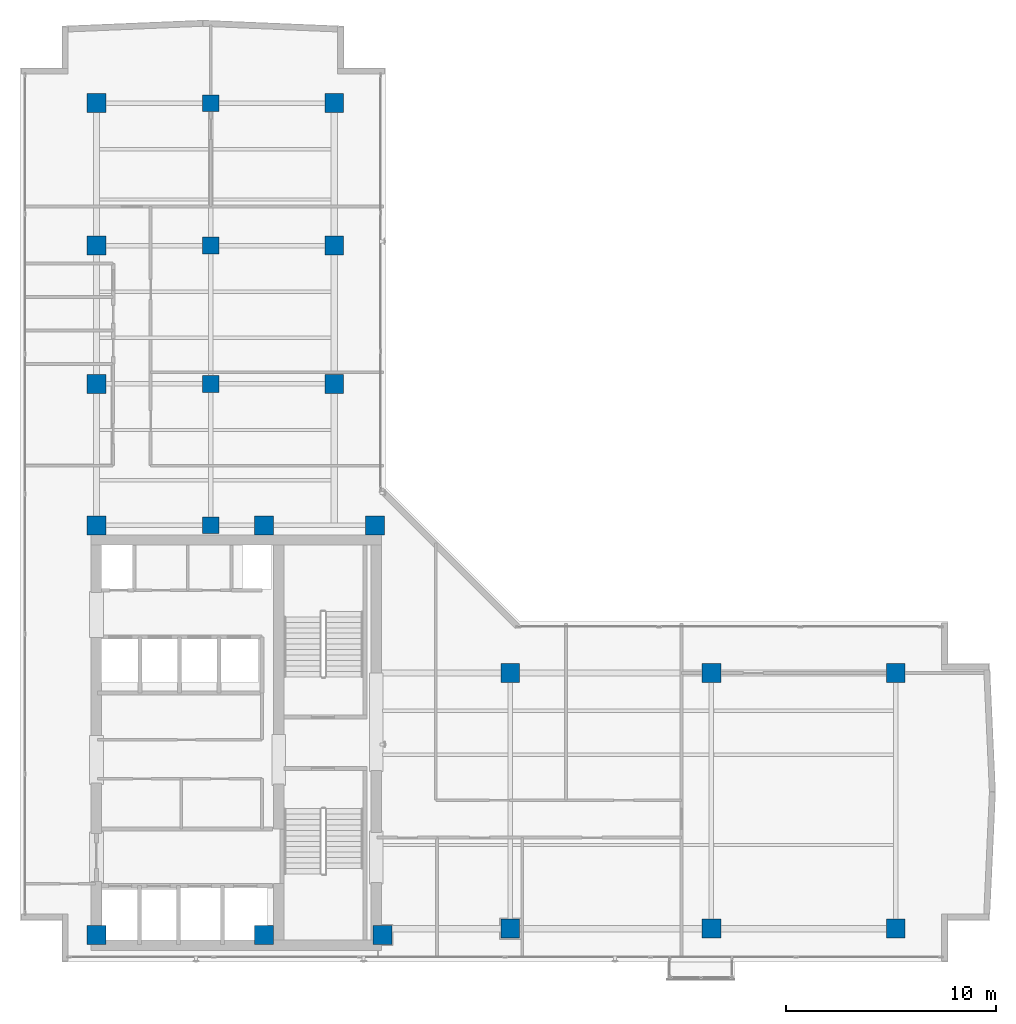
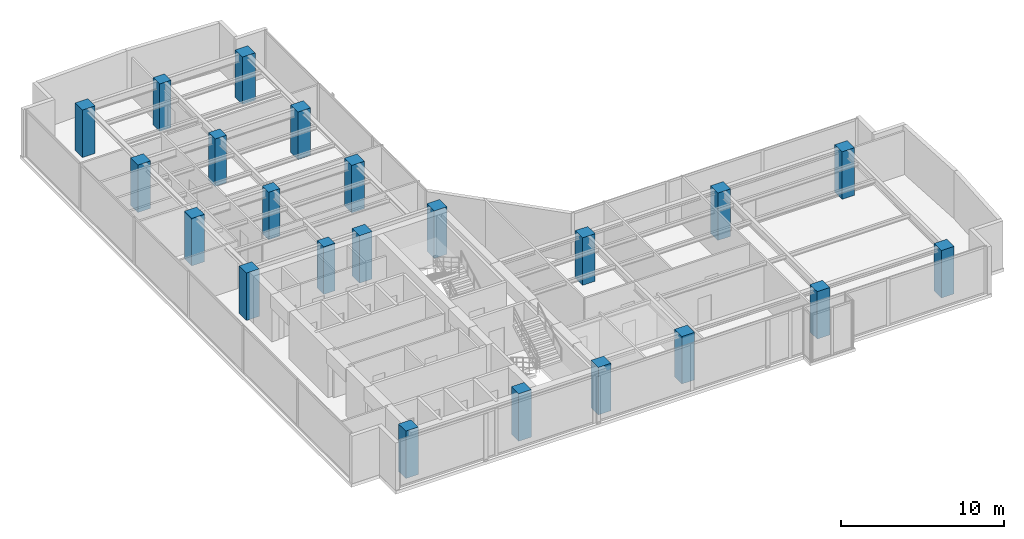
# One storey, part 1 of 24: 22 columns.
"""IFC4 building model written with IfcOpenShell, lengths in metres."""

from ifc_helpers import new_model, si_unit, direction, frame, origin, origin_2d, place, context, subcontext, project, spatial, rectangle, extrude, material, material_profile, profile_set, type_object, element, save


model = new_model("IFC4")

# Units and contexts
model_context = context("Model", 3, precision=1e-05, world=origin(), true_north=direction((0.0, 1.0)))
body_context = subcontext(model_context, "Body", "Model", "MODEL_VIEW")
ifc_project = project(units=[si_unit("LENGTHUNIT", "METRE"), si_unit("AREAUNIT", "SQUARE_METRE"), si_unit("VOLUMEUNIT", "CUBIC_METRE"), si_unit("PLANEANGLEUNIT", "RADIAN"), si_unit("MASSUNIT", "GRAM", prefix="KILO")], contexts=[model_context])

# Site, building, storey
site_placement = place(None, origin())
site = spatial("IfcSite", under=ifc_project, at=site_placement, CompositionType="ELEMENT")
building_placement = place(site_placement, origin())
building = spatial("IfcBuilding", under=site, at=building_placement, Name="Kolvaren Waterfront Exchange", CompositionType="ELEMENT")
storey_placement = place(building_placement, frame((0.0, 0.0, 316.0)))
storey = spatial("IfcBuildingStorey", under=building, at=storey_placement, Name="L81", CompositionType="ELEMENT", Elevation=316.0)

# Columns
ifc_material = material(Name="Concrete C50/60", Category="concrete")
ifc_material_profile_1 = material_profile(ifc_material, rectangle(XDim=0.800048828125, YDim=0.800048828125, at=origin_2d()), Name="RC-COL-800x800")
ifc_profile_set_1 = profile_set([ifc_material_profile_1], Name="Concrete C50/60")
column_type_1 = type_object("IfcColumnType", Name="STR-COL-800-C50", PredefinedType="COLUMN", material=ifc_profile_set_1)
for number, where, z_axis, x_axis, name in (
    (1, (12.89990234375, 24.449951171875, 0.0), (0.0, 0.0, 1.0), (1.0, 0.0, 0.0), "L81 column TC01"),
    (2, (12.89990234375, 31.199951171875, 0.0), (0.0, 0.0, 1.0), (1.0, 0.0, 0.0), "L81 column TC02"),
    (3, (12.89990234375, 37.800048828125, 0.0), (0.0, 0.0, 1.0), (1.0, 0.0, 0.0), "L81 column TC03"),
    (4, (12.89990234375, 44.60009765625, 0.0), (0.0, 0.0, 1.0), (1.0, 0.0, 0.0), "L81 column TC04"),
):
    element("IfcColumn", number, at=place(storey_placement, frame(where, z_axis=z_axis, x_axis=x_axis)), inside=storey, type_object=column_type_1, Name=name, PredefinedType="COLUMN", context=body_context, shape_type="SweptSolid", body=[
        extrude(rectangle(XDim=0.800048828125, YDim=0.800048828125, at=origin_2d()), origin(), (0.0, 0.0, 1.0), 3.56005859375),
    ])
ifc_material_profile_2 = material_profile(ifc_material, rectangle(XDim=0.89990234375, YDim=0.89990234375, at=origin_2d()), Name="RC-COL-900x900")
ifc_profile_set_2 = profile_set([ifc_material_profile_2], Name="Concrete C50/60")
column_type_2 = type_object("IfcColumnType", Name="STR-COL-900-C50", PredefinedType="COLUMN", material=ifc_profile_set_2)
for number, where, z_axis, x_axis, name in (
    (5, (7.449951171875, 4.89990234375, 0.0), (0.0, 0.0, 1.0), (1.0, 0.0, 0.0), "L81 column MC01"),
    (6, (15.449951171875, 4.89990234375, 0.0), (0.0, 0.0, 1.0), (1.0, 0.0, 0.0), "L81 column MC02"),
    (7, (21.10009765625, 4.89990234375, 0.0), (0.0, 0.0, 1.0), (1.0, 0.0, 0.0), "L81 column MC03"),
    (8, (7.449951171875, 24.449951171875, 0.0), (0.0, 0.0, 1.0), (1.0, 0.0, 0.0), "L81 column MC04"),
    (9, (15.449951171875, 24.449951171875, 0.0), (0.0, 0.0, 1.0), (1.0, 0.0, 0.0), "L81 column MC05"),
    (10, (20.75, 24.449951171875, 0.0), (0.0, 0.0, 1.0), (1.0, 0.0, 0.0), "L81 column MC06"),
    (11, (7.449951171875, 31.199951171875, 0.0), (0.0, 0.0, 1.0), (1.0, 0.0, 0.0), "L81 column NC01"),
    (12, (7.449951171875, 37.800048828125, 0.0), (0.0, 0.0, 1.0), (1.0, 0.0, 0.0), "L81 column NC02"),
    (13, (7.449951171875, 44.60009765625, 0.0), (0.0, 0.0, 1.0), (1.0, 0.0, 0.0), "L81 column NC03"),
    (14, (18.800048828125, 31.199951171875, 0.0), (0.0, 0.0, 1.0), (1.0, 0.0, 0.0), "L81 column NC04"),
    (15, (18.800048828125, 37.800048828125, 0.0), (0.0, 0.0, 1.0), (1.0, 0.0, 0.0), "L81 column NC05"),
    (16, (18.800048828125, 44.60009765625, 0.0), (0.0, 0.0, 1.0), (1.0, 0.0, 0.0), "L81 column NC06"),
    (17, (27.199951171875, 5.199951171875, 0.0), (0.0, 0.0, 1.0), (1.0, 0.0, 0.0), "L81 column EC01"),
    (18, (36.800048828125, 5.199951171875, 0.0), (0.0, 0.0, 1.0), (1.0, 0.0, 0.0), "L81 column EC02"),
    (19, (45.60009765625, 5.199951171875, 0.0), (0.0, 0.0, 1.0), (1.0, 0.0, 0.0), "L81 column EC03"),
    (20, (27.199951171875, 17.39990234375, 0.0), (0.0, 0.0, 1.0), (1.0, 0.0, 0.0), "L81 column EC04"),
    (21, (36.800048828125, 17.39990234375, 0.0), (0.0, 0.0, 1.0), (1.0, 0.0, 0.0), "L81 column EC05"),
    (22, (45.60009765625, 17.39990234375, 0.0), (0.0, 0.0, 1.0), (1.0, 0.0, 0.0), "L81 column EC06"),
):
    element("IfcColumn", number, at=place(storey_placement, frame(where, z_axis=z_axis, x_axis=x_axis)), inside=storey, type_object=column_type_2, Name=name, PredefinedType="COLUMN", context=body_context, shape_type="SweptSolid", body=[
        extrude(rectangle(XDim=0.89990234375, YDim=0.89990234375, at=origin_2d()), origin(), (0.0, 0.0, 1.0), 3.56005859375),
    ])

save(model, "model.ifc")
